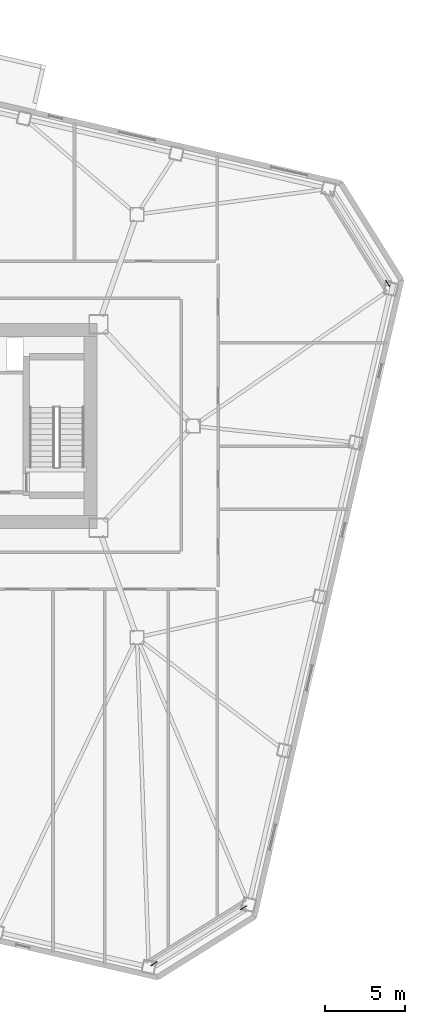
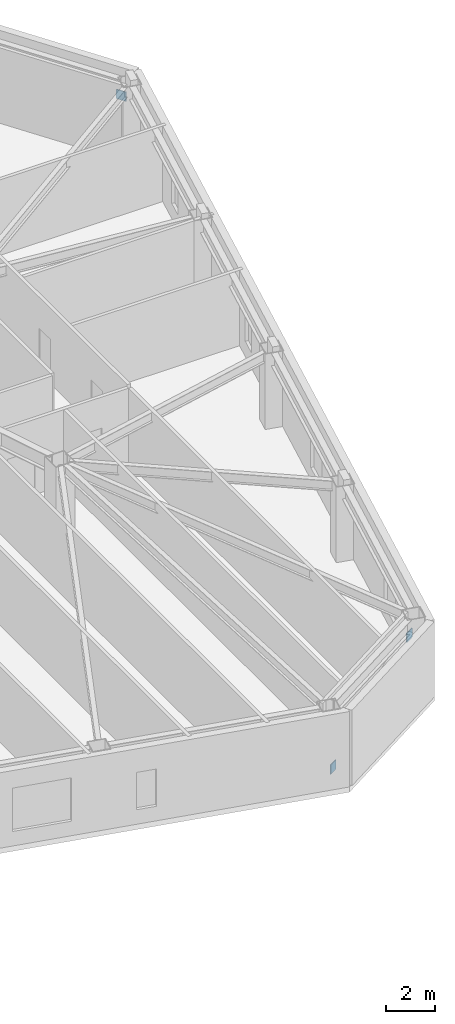
# One storey, part 17 of 19: 3 discrete accessories.
"""IFC4 building model written with IfcOpenShell, lengths in metres."""

from ifc_helpers import new_model, si_unit, direction, frame, origin, origin_2d, place, context, subcontext, project, spatial, rectangle, extrude, material, type_object, element, save


model = new_model("IFC4")

# Units and contexts
model_context = context("Model", 3, precision=1e-05, world=origin(), true_north=direction((0.0, 1.0)))
body_context = subcontext(model_context, "Body", "Model", "MODEL_VIEW")
ifc_project = project(units=[si_unit("LENGTHUNIT", "METRE"), si_unit("AREAUNIT", "SQUARE_METRE"), si_unit("VOLUMEUNIT", "CUBIC_METRE"), si_unit("PLANEANGLEUNIT", "RADIAN"), si_unit("MASSUNIT", "GRAM", prefix="KILO")], contexts=[model_context])

# Site, building, storey
site_placement = place(None, origin())
site = spatial("IfcSite", under=ifc_project, at=site_placement, CompositionType="ELEMENT")
building_placement = place(site_placement, origin())
building = spatial("IfcBuilding", under=site, at=building_placement, Name="Tavrogorsk Clinical Tower", CompositionType="ELEMENT")
storey_placement = place(building_placement, frame((0.0, 0.0, 75.39990234375)))
storey = spatial("IfcBuildingStorey", under=building, at=storey_placement, Name="L16", CompositionType="ELEMENT", Elevation=75.39990234375)

# Discrete accessories
ifc_material = material(Name="Structural steel S440", Category="steel")
discrete_accessory_type = type_object("IfcDiscreteAccessoryType", Name="GussetPlateBracket_25", PredefinedType="BRACKET", material=ifc_material)
for number, where, z_axis, x_axis, name in (
    (1, (25.56396484375, -33.553955078125, 0.212646484375), (0.0, 0.0, 1.0), (0.848048096156, 0.529919264233, 0.0), "L16 Brace Gusset Plate EXOCRN-L16-1-A"),
    (2, (31.15185546875, -30.062255859375, 2.667724609375), (0.0, 0.0, 1.0), (0.848048096156, 0.529919264233, 0.0), "L16 Brace Gusset Plate EXOCRN-L16-1-B"),
    (3, (40.145751953125, 8.893798828125, 2.667724609375), (0.0, 0.0, 1.0), (0.529919264233, -0.848048096156, 0.0), "L16 Brace Gusset Plate EXOCRN-L16-2-B"),
):
    element("IfcDiscreteAccessory", number, at=place(storey_placement, frame(where, z_axis=z_axis, x_axis=x_axis)), inside=storey, type_object=discrete_accessory_type, Name=name, PredefinedType="BRACKET", context=body_context, shape_type="SweptSolid", body=[
        extrude(rectangle(XDim=0.4599609375, YDim=0.0400390625, at=origin_2d()), origin(), (0.0, 0.0, 1.0), 0.4599609375),
    ])

save(model, "model.ifc")
